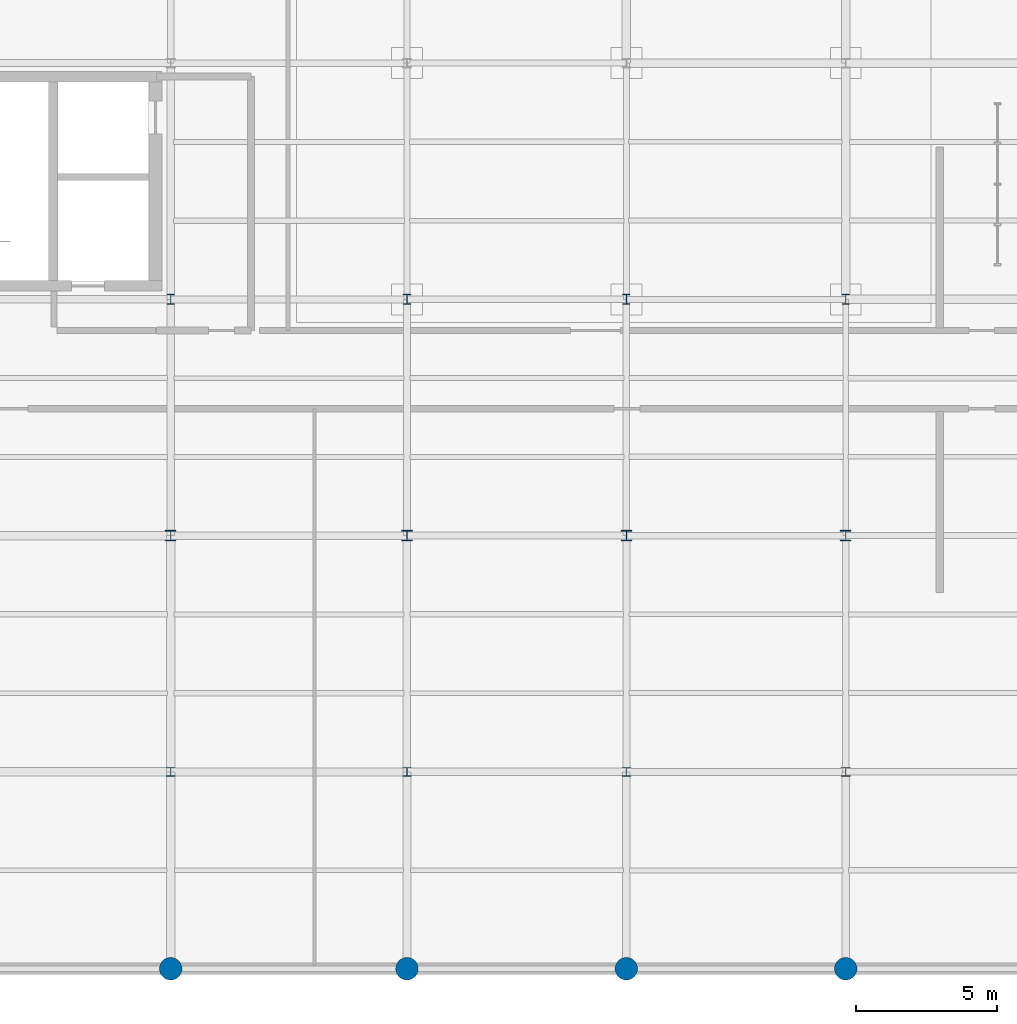
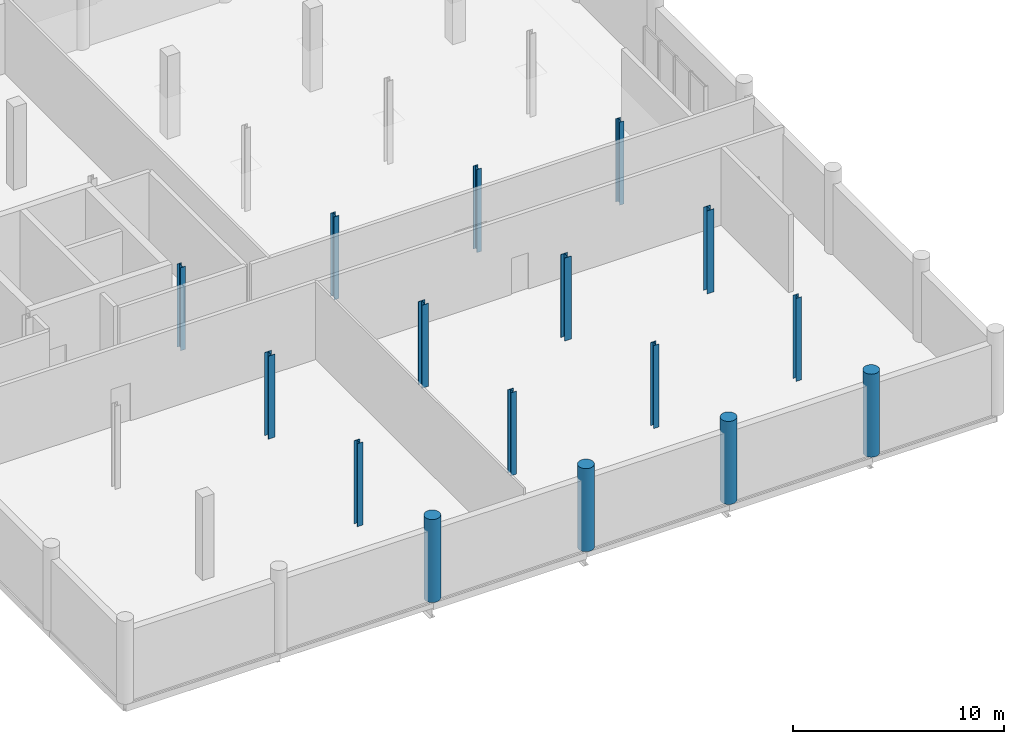
# One storey, part 7 of 94: 16 columns.
"""IFC4 building model written with IfcOpenShell, lengths in metres."""

from ifc_helpers import new_model, si_unit, direction, frame, origin_with_axes, origin_2d_with_axis, place, context, subcontext, project, spatial, circle, i_section, extrude, material, material_profile, profile_set, type_object, element, save


model = new_model("IFC4")

# Units and contexts
model_context = context("Model", 3, precision=1e-05, world=origin_with_axes(), true_north=direction((0.0, 1.0)))
body_context = subcontext(model_context, "Body", "Model", "MODEL_VIEW")
ifc_project = project(units=[si_unit("LENGTHUNIT", "METRE"), si_unit("AREAUNIT", "SQUARE_METRE"), si_unit("VOLUMEUNIT", "CUBIC_METRE"), si_unit("PLANEANGLEUNIT", "RADIAN"), si_unit("MASSUNIT", "GRAM", prefix="KILO"), si_unit("THERMODYNAMICTEMPERATUREUNIT", "KELVIN")], contexts=[model_context])

# Site, building, storey
site_placement = place(None, origin_with_axes())
site = spatial("IfcSite", under=ifc_project, at=site_placement, CompositionType="ELEMENT")
building_placement = place(site_placement, origin_with_axes())
building = spatial("IfcBuilding", under=site, at=building_placement, Name="Montbau Bow Law Courts", CompositionType="ELEMENT")
storey_placement = place(building_placement, frame((0.0, 0.0, 15.6), z_axis=(0.0, 0.0, 1.0), x_axis=(1.0, 0.0, 0.0)))
storey = spatial("IfcBuildingStorey", under=building, at=storey_placement, Name="L03", CompositionType="ELEMENT", Elevation=15.6)

# Columns
ifc_material_1 = material(Name="Concrete CSA A23.1 f'c 40 MPa", Category="concrete")
ifc_material_profile_1 = material_profile(ifc_material_1, circle(Radius=0.4, at=origin_2d_with_axis()), Name="RC800D", Category="Main", Priority=0)
ifc_profile_set_1 = profile_set([ifc_material_profile_1], Name="Concrete CSA A23.1 f'c 40 MPa")
column_type_1 = type_object("IfcColumnType", Name="C-RC-07", PredefinedType="COLUMN", material=ifc_profile_set_1)
for number, where, z_axis, x_axis, name in (
    (1, (138.6, 6.8, 15.6), (0.0, 0.0, 1.0), (1.0, 0.0, 0.0), "C-L03-S0706:col2_0706"),
    (2, (147.0, 6.8, 15.6), (0.0, 0.0, 1.0), (1.0, 0.0, 0.0), "C-L03-S0718:col2_0718"),
    (3, (154.8, 6.8, 15.6), (0.0, 0.0, 1.0), (1.0, 0.0, 0.0), "C-L03-S0730:col2_0730"),
    (4, (162.6, 6.8, 15.6), (0.0, 0.0, 1.0), (1.0, 0.0, 0.0), "C-L03-S0742:col2_0742"),
):
    element("IfcColumn", number, at=place(None, frame(where, z_axis=z_axis, x_axis=x_axis)), inside=storey, type_object=column_type_1, Name=name, PredefinedType="COLUMN", context=body_context, shape_type="SweptSolid", body=[
        extrude(circle(Radius=0.4, at=origin_2d_with_axis()), origin_with_axes(), (0.0, 0.0, 1.0), 4.8),
    ])
ifc_material_2 = material(Name="Steel CSA G40.21 Grade 350W (350 MPa)", Category="steel")
ifc_material_profile_2 = material_profile(ifc_material_2, i_section(OverallWidth=0.373, OverallDepth=0.368, WebThickness=0.015, FlangeThickness=0.0239, at=origin_2d_with_axis()), Name="W360X179", Category="Main", Priority=0)
ifc_profile_set_2 = profile_set([ifc_material_profile_2], Name="Steel CSA G40.21 Grade 350W (350 MPa)")
column_type_2 = type_object("IfcColumnType", Name="C-STL-04", PredefinedType="COLUMN", material=ifc_profile_set_2)
for number, where, z_axis, x_axis, name in (
    (5, (138.6, 22.2, 15.6), (0.0, 0.0, 1.0), (1.0, 0.0, 0.0), "C-L03-S0708:col2_0708"),
    (6, (147.0, 22.2, 15.6), (0.0, 0.0, 1.0), (1.0, 0.0, 0.0), "C-L03-S0720:col2_0720"),
    (7, (154.8, 22.2, 15.6), (0.0, 0.0, 1.0), (1.0, 0.0, 0.0), "C-L03-S0732:col2_0732"),
    (8, (162.6, 22.2, 15.6), (0.0, 0.0, 1.0), (1.0, 0.0, 0.0), "C-L03-S0744:col2_0744"),
):
    element("IfcColumn", number, at=place(None, frame(where, z_axis=z_axis, x_axis=x_axis)), inside=storey, type_object=column_type_2, Name=name, PredefinedType="COLUMN", context=body_context, shape_type="SweptSolid", body=[
        extrude(i_section(OverallWidth=0.373, OverallDepth=0.368, WebThickness=0.015, FlangeThickness=0.0239, at=origin_2d_with_axis()), origin_with_axes(), (0.0, 0.0, 1.0), 4.8),
    ])
ifc_material_profile_3 = material_profile(ifc_material_2, i_section(OverallWidth=0.257, OverallDepth=0.363, WebThickness=0.013, FlangeThickness=0.0217, at=origin_2d_with_axis()), Name="W360X122", Category="Main", Priority=0)
ifc_profile_set_3 = profile_set([ifc_material_profile_3], Name="Steel CSA G40.21 Grade 350W (350 MPa)")
column_type_3 = type_object("IfcColumnType", Name="C-STL-05", PredefinedType="COLUMN", material=ifc_profile_set_3)
for number, where, z_axis, x_axis, name in (
    (9, (138.6, 30.6, 15.6), (0.0, 0.0, 1.0), (1.0, 0.0, 0.0), "C-L03-S0709:col2_0709"),
    (10, (147.0, 30.6, 15.6), (0.0, 0.0, 1.0), (1.0, 0.0, 0.0), "C-L03-S0721:col2_0721"),
    (11, (154.8, 30.6, 15.6), (0.0, 0.0, 1.0), (1.0, 0.0, 0.0), "C-L03-S0733:col2_0733"),
    (12, (162.6, 30.6, 15.6), (0.0, 0.0, 1.0), (1.0, 0.0, 0.0), "C-L03-S0745:col2_0745"),
):
    element("IfcColumn", number, at=place(None, frame(where, z_axis=z_axis, x_axis=x_axis)), inside=storey, type_object=column_type_3, Name=name, PredefinedType="COLUMN", context=body_context, shape_type="SweptSolid", body=[
        extrude(i_section(OverallWidth=0.257, OverallDepth=0.363, WebThickness=0.013, FlangeThickness=0.0217, at=origin_2d_with_axis()), origin_with_axes(), (0.0, 0.0, 1.0), 4.8),
    ])
ifc_material_profile_4 = material_profile(ifc_material_2, i_section(OverallWidth=0.305, OverallDepth=0.308, WebThickness=0.0099, FlangeThickness=0.0154, at=origin_2d_with_axis()), Name="W310X97", Category="Main", Priority=0)
ifc_profile_set_4 = profile_set([ifc_material_profile_4], Name="Steel CSA G40.21 Grade 350W (350 MPa)")
column_type_4 = type_object("IfcColumnType", Name="C-STL-07", PredefinedType="COLUMN", material=ifc_profile_set_4)
for number, where, z_axis, x_axis, name in (
    (13, (138.6, 13.8, 15.6), (0.0, 0.0, 1.0), (1.0, 0.0, 0.0), "C-L03-S0707:col2_0707"),
    (14, (147.0, 13.8, 15.6), (0.0, 0.0, 1.0), (1.0, 0.0, 0.0), "C-L03-S0719:col2_0719"),
    (15, (154.8, 13.8, 15.6), (0.0, 0.0, 1.0), (1.0, 0.0, 0.0), "C-L03-S0731:col2_0731"),
    (16, (162.6, 13.8, 15.6), (0.0, 0.0, 1.0), (1.0, 0.0, 0.0), "C-L03-S0743:col2_0743"),
):
    element("IfcColumn", number, at=place(None, frame(where, z_axis=z_axis, x_axis=x_axis)), inside=storey, type_object=column_type_4, Name=name, PredefinedType="COLUMN", context=body_context, shape_type="SweptSolid", body=[
        extrude(i_section(OverallWidth=0.305, OverallDepth=0.308, WebThickness=0.0099, FlangeThickness=0.0154, at=origin_2d_with_axis()), origin_with_axes(), (0.0, 0.0, 1.0), 4.8),
    ])

save(model, "model.ifc")
